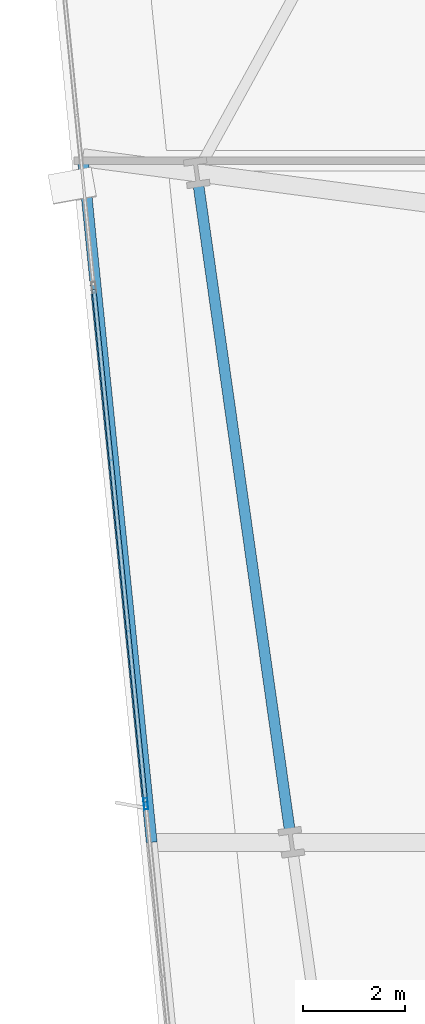
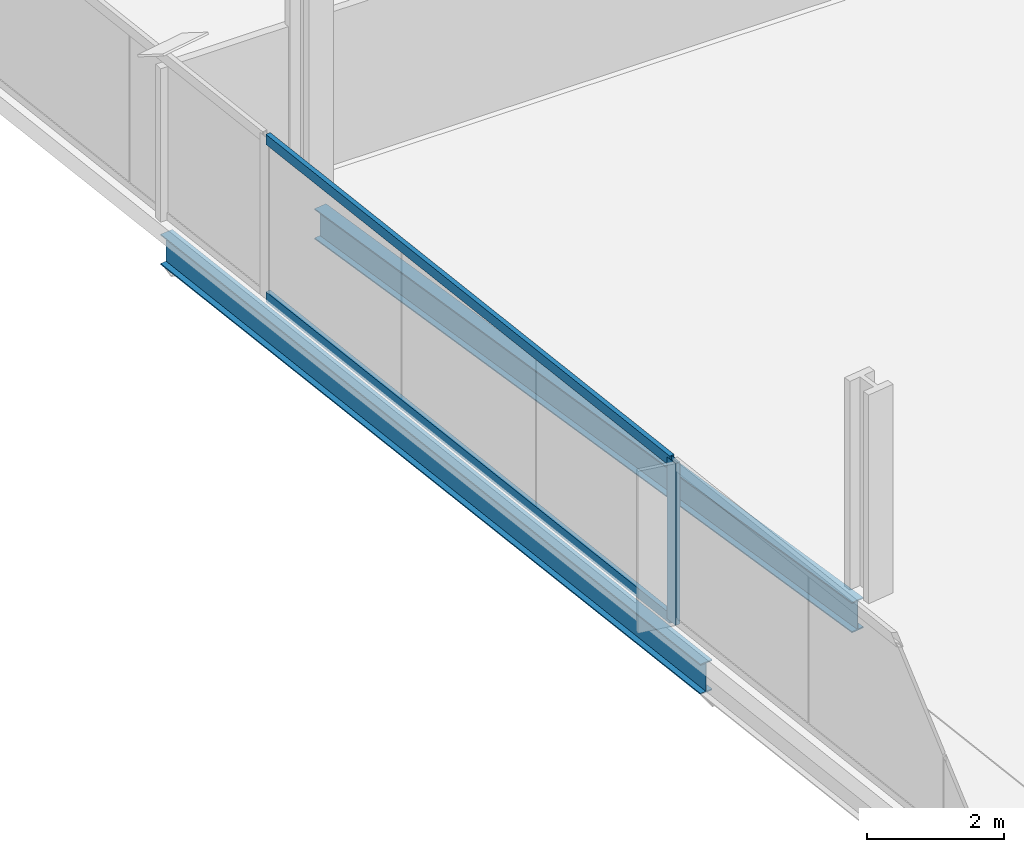
# One storey, part 7 of 33: 3 members, 2 beams, 1 element without a shape of its own.
"""IFC4 building model written with IfcOpenShell, lengths in metres."""

from ifc_helpers import new_model, si_unit, direction, frame, origin, origin_2d, place, context, subcontext, project, spatial, hollow_rectangle, i_section, extrude, material, material_profile, profile_set, type_object, element, aggregate, save


model = new_model("IFC4")

# Units and contexts
model_context = context("Model", 3, precision=1e-05, world=origin(), true_north=direction((0.0, 1.0)))
body_context = subcontext(model_context, "Body", "Model", "MODEL_VIEW")
ifc_project = project(units=[si_unit("LENGTHUNIT", "METRE"), si_unit("AREAUNIT", "SQUARE_METRE"), si_unit("VOLUMEUNIT", "CUBIC_METRE"), si_unit("PLANEANGLEUNIT", "RADIAN"), si_unit("MASSUNIT", "GRAM", prefix="KILO")], contexts=[model_context])

# Site, building, storey
site_placement = place(None, origin())
site = spatial("IfcSite", under=ifc_project, at=site_placement, CompositionType="ELEMENT")
building_placement = place(site_placement, origin())
building = spatial("IfcBuilding", under=site, at=building_placement, Name="Haldenkirk Collegiate Tower", CompositionType="ELEMENT")
storey_placement = place(building_placement, frame((0.0, 0.0, 47.699951171875)))
storey = spatial("IfcBuildingStorey", under=building, at=storey_placement, Name="L10", CompositionType="ELEMENT", Elevation=47.699951171875)

# Beams
ifc_material_1 = material(Name="Steel ASTM A992 Grade 50", Category="steel")
ifc_material_profile_1 = material_profile(ifc_material_1, i_section(OverallWidth=0.2119140625, OverallDepth=0.5439453125, WebThickness=0.01318359375, FlangeThickness=0.021240234375, at=origin_2d()), Name="W21X83")
ifc_profile_set_1 = profile_set([ifc_material_profile_1], Name="Steel ASTM A992 Grade 50")
beam_type = type_object("IfcBeamType", Name="BM-SPANDREL-W21X83", PredefinedType="SPANDREL", material=ifc_profile_set_1)
beam_1_placement = place(storey_placement, frame((10.30322265625, 35.951171875, -0.58203125), z_axis=(0.140049989419, -0.990144434143, 0.0), x_axis=(0.990144434143, 0.140049989419, 0.0)))
element("IfcBeam", 1, at=beam_1_placement, inside=storey, type_object=beam_type, Name="L10 perimeter spandrel beam 14", PredefinedType="SPANDREL", context=body_context, shape_type="SweptSolid", body=[
    extrude(i_section(OverallWidth=0.2119140625, OverallDepth=0.5439453125, WebThickness=0.01318359375, FlangeThickness=0.021240234375, at=origin_2d()), origin(), (0.0, 0.0, 1.0), 12.76220703125),
])
beam_2_placement = place(storey_placement, frame((8.0263671875, 36.50927734375, -0.58203125), z_axis=(0.100188239147, -0.994968500374, 0.0), x_axis=(0.994968500374, 0.100188239147, 0.0)))
element("IfcBeam", 2, at=beam_2_placement, inside=storey, type_object=beam_type, Name="L10 outer facade edge beam 4A", PredefinedType="SPANDREL", context=body_context, shape_type="SweptSolid", body=[
    extrude(i_section(OverallWidth=0.2119140625, OverallDepth=0.5439453125, WebThickness=0.01318359375, FlangeThickness=0.021240234375, at=origin_2d()), origin(), (0.0, 0.0, 1.0), 13.5244140625),
])

# Curtain wall, members
ifc_material_2 = material(Name="Anodised architectural bronze aluminium", Category="aluminium")
curtain_wall_type = type_object("IfcCurtainWallType", Name="CW-SYS1-CONVEX-LOW", PredefinedType="USERDEFINED", material=ifc_material_2)
curtain_wall_placement = place(storey_placement, origin())
curtain_wall = element("IfcCurtainWall", 3, at=curtain_wall_placement, inside=storey, type_object=curtain_wall_type, Name="L10 Lower tower convex bronze-framed unitised curtain wall", ObjectType="UNITISED CURTAIN WALL", PredefinedType="USERDEFINED")
ifc_material_profile_2 = material_profile(ifc_material_2, hollow_rectangle(XDim=0.080078125, YDim=0.219970703125, WallThickness=0.0048828125, at=origin_2d()), Name="CW-MUL-1A")
ifc_profile_set_2 = profile_set([ifc_material_profile_2], Name="Anodised architectural bronze aluminium")
member_type_1 = type_object("IfcMemberType", Name="CW-MUL-1A", PredefinedType="MULLION", material=ifc_profile_set_2)
member_1_placement = place(storey_placement, frame((9.264892578125, 23.810302734375, 0.0), z_axis=(0.0, 0.0, 1.0), x_axis=(-0.994968667969, -0.100186574745, 0.0)))
member_1 = element("IfcMember", 4, at=member_1_placement, type_object=member_type_1, Name="CW-1A mullion 3", PredefinedType="MULLION", context=body_context, shape_type="SweptSolid", body=[
    extrude(hollow_rectangle(XDim=0.080078125, YDim=0.219970703125, WallThickness=0.0048828125, at=origin_2d()), origin(), (0.0, 0.0, 1.0), 2.89111328125),
])
ifc_material_profile_3 = material_profile(ifc_material_2, hollow_rectangle(XDim=0.080078125, YDim=0.179931640625, WallThickness=0.0048828125, at=origin_2d()), Name="CW-TRN-1A")
ifc_profile_set_3 = profile_set([ifc_material_profile_3], Name="Anodised architectural bronze aluminium")
member_type_2 = type_object("IfcMemberType", Name="CW-TRN-1A", PredefinedType="USERDEFINED", material=ifc_profile_set_3)
member_2_placement = place(storey_placement, frame((9.260986328125, 23.85009765625, 0.0400390625), z_axis=(-0.100189214513, 0.994968402159, 0.0), x_axis=(-0.994968402159, -0.100189214513, 0.0)))
member_2 = element("IfcMember", 5, at=member_2_placement, type_object=member_type_2, Name="CW-1A transom 3.1", ObjectType="TRANSOM", PredefinedType="USERDEFINED", context=body_context, shape_type="SweptSolid", body=[
    extrude(hollow_rectangle(XDim=0.080078125, YDim=0.179931640625, WallThickness=0.0048828125, at=origin_2d()), origin(), (0.0, 0.0, 1.0), 10.1201171875),
])
member_3_placement = place(storey_placement, frame((9.260986328125, 23.85009765625, 2.85107421875), z_axis=(-0.100189214513, 0.994968402159, 0.0), x_axis=(-0.994968402159, -0.100189214513, 0.0)))
member_3 = element("IfcMember", 6, at=member_3_placement, type_object=member_type_2, Name="CW-1A transom 3.2", ObjectType="TRANSOM", PredefinedType="USERDEFINED", context=body_context, shape_type="SweptSolid", body=[
    extrude(hollow_rectangle(XDim=0.080078125, YDim=0.179931640625, WallThickness=0.0048828125, at=origin_2d()), origin(), (0.0, 0.0, 1.0), 10.1201171875),
])
aggregate(curtain_wall, [member_1, member_2, member_3])

save(model, "model.ifc")
